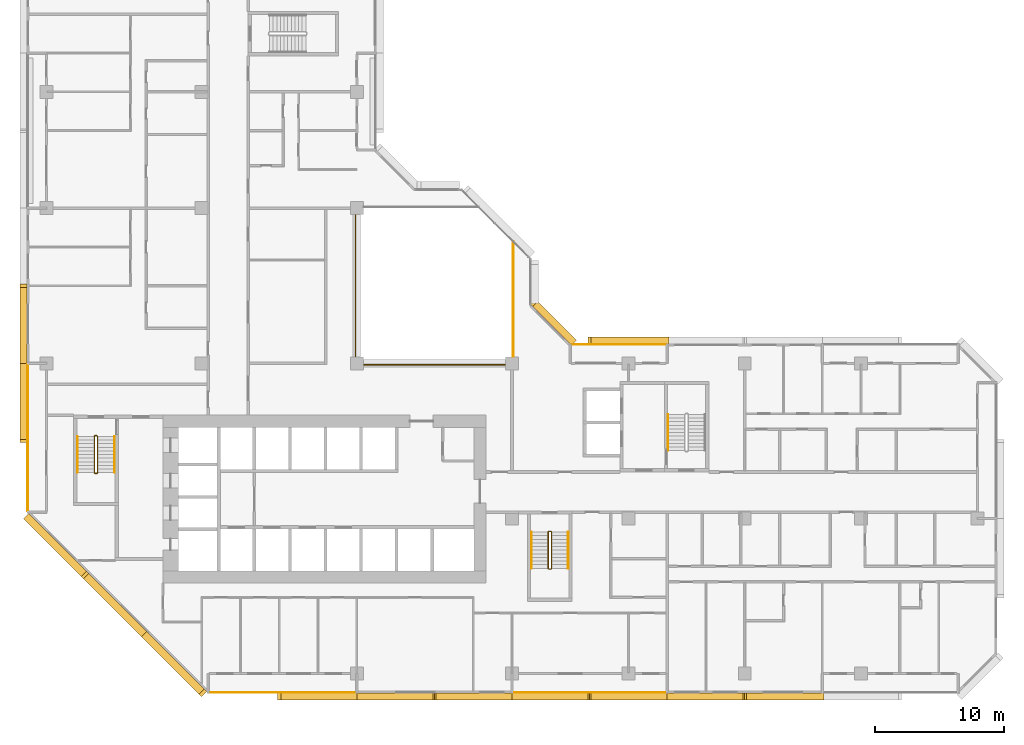
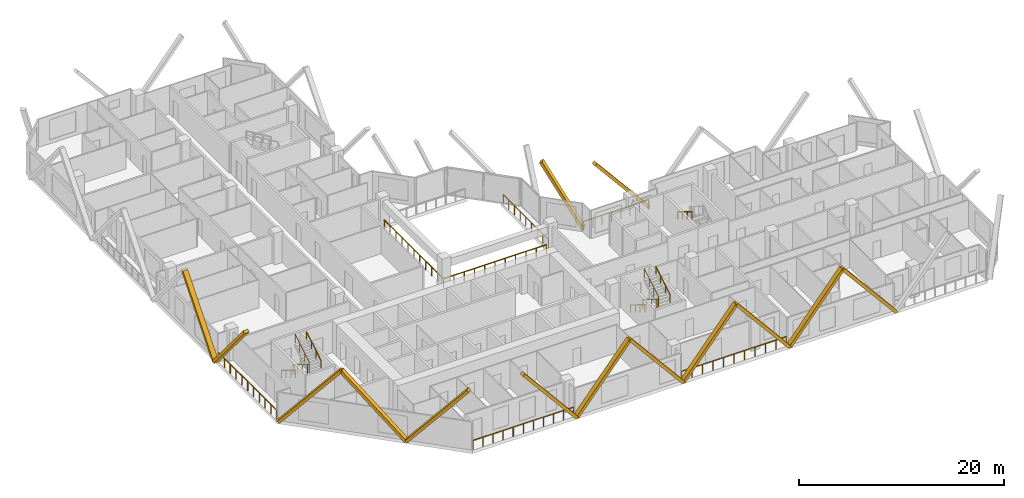
# One storey, part 14 of 15: 14 coverings, 13 railings.
"""IFC4 building model written with IfcOpenShell, lengths in metres."""

from ifc_helpers import new_model, si_unit, direction, frame, origin, origin_2d, place, context, subcontext, project, spatial, rectangle, extrude, material, material_profile, profile_set, type_object, element, save


model = new_model("IFC4")

# Units and contexts
model_context = context("Model", 3, precision=1e-05, world=origin(), true_north=direction((0.0, 1.0)))
body_context = subcontext(model_context, "Body", "Model", "MODEL_VIEW")
ifc_project = project(units=[si_unit("LENGTHUNIT", "METRE"), si_unit("AREAUNIT", "SQUARE_METRE"), si_unit("VOLUMEUNIT", "CUBIC_METRE"), si_unit("PLANEANGLEUNIT", "RADIAN"), si_unit("MASSUNIT", "GRAM", prefix="KILO")], contexts=[model_context])

# Site, building, storey
site_placement = place(None, origin())
site = spatial("IfcSite", under=ifc_project, at=site_placement, CompositionType="ELEMENT")
building_placement = place(site_placement, origin())
building = spatial("IfcBuilding", under=site, at=building_placement, Name="Chenar Terraces", CompositionType="ELEMENT")
storey_placement = place(building_placement, frame((0.0, 0.0, 114.39990234375)))
storey = spatial("IfcBuildingStorey", under=building, at=storey_placement, Name="L26", CompositionType="ELEMENT", Elevation=114.39990234375)

# Railings
ifc_material_1 = material(Name="Powder-coated steel", Category="steel")
railing_type_1 = type_object("IfcRailingType", Name="Guard 1100 steel rail with glass infill", PredefinedType="GUARDRAIL", material=ifc_material_1)
railing_1_placement = place(storey_placement, frame((23.89990234375, 35.5, 0.0)))
element("IfcRailing", 1, at=railing_1_placement, inside=storey, type_object=railing_type_1, Name="Guard L26-1", PredefinedType="GUARDRAIL", context=body_context, shape_type="SweptSolid", body=[
    extrude(rectangle(XDim=0.06005859375, YDim=0.06005859375, at=origin_2d()), frame((0.0, 0.0, 1.070068359375), z_axis=(0.0, -1.0, 0.0), x_axis=(1.0, 0.0, 0.0)), (0.0, 0.0, 1.0), 11.60009765625),
    extrude(rectangle(XDim=0.06005859375, YDim=0.06005859375, at=origin_2d()), frame((0.0, -11.60009765625, 1.070068359375), z_axis=(1.0, 0.0, 0.0), x_axis=(0.0, 1.0, 0.0)), (0.0, 0.0, 1.0), 11.60009765625),
    extrude(rectangle(XDim=0.050048828125, YDim=0.050048828125, at=origin_2d()), origin(), (0.0, 0.0, 1.0), 1.0400390625),
    extrude(rectangle(XDim=0.050048828125, YDim=0.050048828125, at=origin_2d()), frame((0.0, -1.159912109375, 0.0)), (0.0, 0.0, 1.0), 1.0400390625),
    extrude(rectangle(XDim=0.050048828125, YDim=0.050048828125, at=origin_2d()), frame((0.0, -2.320068359375, 0.0)), (0.0, 0.0, 1.0), 1.0400390625),
    extrude(rectangle(XDim=0.050048828125, YDim=0.050048828125, at=origin_2d()), frame((0.0, -3.47998046875, 0.0)), (0.0, 0.0, 1.0), 1.0400390625),
    extrude(rectangle(XDim=0.050048828125, YDim=0.050048828125, at=origin_2d()), frame((0.0, -4.64013671875, 0.0)), (0.0, 0.0, 1.0), 1.0400390625),
    extrude(rectangle(XDim=0.050048828125, YDim=0.050048828125, at=origin_2d()), frame((0.0, -5.800048828125, 0.0)), (0.0, 0.0, 1.0), 1.0400390625),
    extrude(rectangle(XDim=0.050048828125, YDim=0.050048828125, at=origin_2d()), frame((0.0, -6.9599609375, 0.0)), (0.0, 0.0, 1.0), 1.0400390625),
    extrude(rectangle(XDim=0.050048828125, YDim=0.050048828125, at=origin_2d()), frame((0.0, -8.1201171875, 0.0)), (0.0, 0.0, 1.0), 1.0400390625),
    extrude(rectangle(XDim=0.050048828125, YDim=0.050048828125, at=origin_2d()), frame((0.0, -9.280029296875, 0.0)), (0.0, 0.0, 1.0), 1.0400390625),
    extrude(rectangle(XDim=0.050048828125, YDim=0.050048828125, at=origin_2d()), frame((0.0, -10.440185546875, 0.0)), (0.0, 0.0, 1.0), 1.0400390625),
    extrude(rectangle(XDim=0.050048828125, YDim=0.050048828125, at=origin_2d()), frame((0.0, -11.60009765625, 0.0)), (0.0, 0.0, 1.0), 1.0400390625),
    extrude(rectangle(XDim=0.050048828125, YDim=0.050048828125, at=origin_2d()), frame((1.159912109375, -11.60009765625, 0.0)), (0.0, 0.0, 1.0), 1.0400390625),
    extrude(rectangle(XDim=0.050048828125, YDim=0.050048828125, at=origin_2d()), frame((2.320068359375, -11.60009765625, 0.0)), (0.0, 0.0, 1.0), 1.0400390625),
    extrude(rectangle(XDim=0.050048828125, YDim=0.050048828125, at=origin_2d()), frame((3.47998046875, -11.60009765625, 0.0)), (0.0, 0.0, 1.0), 1.0400390625),
    extrude(rectangle(XDim=0.050048828125, YDim=0.050048828125, at=origin_2d()), frame((4.64013671875, -11.60009765625, 0.0)), (0.0, 0.0, 1.0), 1.0400390625),
    extrude(rectangle(XDim=0.050048828125, YDim=0.050048828125, at=origin_2d()), frame((5.800048828125, -11.60009765625, 0.0)), (0.0, 0.0, 1.0), 1.0400390625),
    extrude(rectangle(XDim=0.050048828125, YDim=0.050048828125, at=origin_2d()), frame((6.9599609375, -11.60009765625, 0.0)), (0.0, 0.0, 1.0), 1.0400390625),
    extrude(rectangle(XDim=0.050048828125, YDim=0.050048828125, at=origin_2d()), frame((8.1201171875, -11.60009765625, 0.0)), (0.0, 0.0, 1.0), 1.0400390625),
    extrude(rectangle(XDim=0.050048828125, YDim=0.050048828125, at=origin_2d()), frame((9.280029296875, -11.60009765625, 0.0)), (0.0, 0.0, 1.0), 1.0400390625),
    extrude(rectangle(XDim=0.050048828125, YDim=0.050048828125, at=origin_2d()), frame((10.440185546875, -11.60009765625, 0.0)), (0.0, 0.0, 1.0), 1.0400390625),
    extrude(rectangle(XDim=0.050048828125, YDim=0.050048828125, at=origin_2d()), frame((11.60009765625, -11.60009765625, 0.0)), (0.0, 0.0, 1.0), 1.0400390625),
])
railing_2_placement = place(storey_placement, frame((36.10009765625, 24.550048828125, 0.0)))
element("IfcRailing", 2, at=railing_2_placement, inside=storey, type_object=railing_type_1, Name="Guard L26-3", PredefinedType="GUARDRAIL", context=body_context, shape_type="SweptSolid", body=[
    extrude(rectangle(XDim=0.06005859375, YDim=0.06005859375, at=origin_2d()), frame((0.0, 0.0, 1.070068359375), z_axis=(0.0, 1.0, 0.0), x_axis=(-1.0, 0.0, 0.0)), (0.0, 0.0, 1.0), 8.849853515625),
    extrude(rectangle(XDim=0.050048828125, YDim=0.050048828125, at=origin_2d()), origin(), (0.0, 0.0, 1.0), 1.0400390625),
    extrude(rectangle(XDim=0.050048828125, YDim=0.050048828125, at=origin_2d()), frame((0.0, 1.106201171875, 0.0)), (0.0, 0.0, 1.0), 1.0400390625),
    extrude(rectangle(XDim=0.050048828125, YDim=0.050048828125, at=origin_2d()), frame((0.0, 2.21240234375, 0.0)), (0.0, 0.0, 1.0), 1.0400390625),
    extrude(rectangle(XDim=0.050048828125, YDim=0.050048828125, at=origin_2d()), frame((0.0, 3.318603515625, 0.0)), (0.0, 0.0, 1.0), 1.0400390625),
    extrude(rectangle(XDim=0.050048828125, YDim=0.050048828125, at=origin_2d()), frame((0.0, 4.4248046875, 0.0)), (0.0, 0.0, 1.0), 1.0400390625),
    extrude(rectangle(XDim=0.050048828125, YDim=0.050048828125, at=origin_2d()), frame((0.0, 5.53125, 0.0)), (0.0, 0.0, 1.0), 1.0400390625),
    extrude(rectangle(XDim=0.050048828125, YDim=0.050048828125, at=origin_2d()), frame((0.0, 6.637451171875, 0.0)), (0.0, 0.0, 1.0), 1.0400390625),
    extrude(rectangle(XDim=0.050048828125, YDim=0.050048828125, at=origin_2d()), frame((0.0, 7.74365234375, 0.0)), (0.0, 0.0, 1.0), 1.0400390625),
    extrude(rectangle(XDim=0.050048828125, YDim=0.050048828125, at=origin_2d()), frame((0.0, 8.849853515625, 0.0)), (0.0, 0.0, 1.0), 1.0400390625),
])
ifc_material_2 = material(Name="Stainless steel and glass", Category="steel")
railing_type_2 = type_object("IfcRailingType", Name="Loggia guard 1150", PredefinedType="GUARDRAIL", material=ifc_material_2)
railing_3_placement = place(storey_placement, frame((47.925048828125, 25.449951171875, 0.0)))
element("IfcRailing", 3, at=railing_3_placement, inside=storey, type_object=railing_type_2, Name="Loggia guard", PredefinedType="GUARDRAIL", context=body_context, shape_type="SweptSolid", body=[
    extrude(rectangle(XDim=0.048095703125, YDim=0.048095703125, at=origin_2d()), frame((0.0, 0.0, 1.1259765625), z_axis=(-1.0, 0.0, 0.0), x_axis=(0.0, -1.0, 0.0)), (0.0, 0.0, 1.0), 7.35009765625),
    extrude(rectangle(XDim=0.0419921875, YDim=0.0419921875, at=origin_2d()), origin(), (0.0, 0.0, 1.0), 1.101806640625),
    extrude(rectangle(XDim=0.0419921875, YDim=0.0419921875, at=origin_2d()), frame((-1.050048828125, 0.0, 0.0)), (0.0, 0.0, 1.0), 1.101806640625),
    extrude(rectangle(XDim=0.0419921875, YDim=0.0419921875, at=origin_2d()), frame((-2.10009765625, 0.0, 0.0)), (0.0, 0.0, 1.0), 1.101806640625),
    extrude(rectangle(XDim=0.0419921875, YDim=0.0419921875, at=origin_2d()), frame((-3.150146484375, 0.0, 0.0)), (0.0, 0.0, 1.0), 1.101806640625),
    extrude(rectangle(XDim=0.0419921875, YDim=0.0419921875, at=origin_2d()), frame((-4.199951171875, 0.0, 0.0)), (0.0, 0.0, 1.0), 1.101806640625),
    extrude(rectangle(XDim=0.0419921875, YDim=0.0419921875, at=origin_2d()), frame((-5.25, 0.0, 0.0)), (0.0, 0.0, 1.0), 1.101806640625),
    extrude(rectangle(XDim=0.0419921875, YDim=0.0419921875, at=origin_2d()), frame((-6.300048828125, 0.0, 0.0)), (0.0, 0.0, 1.0), 1.101806640625),
    extrude(rectangle(XDim=0.0419921875, YDim=0.0419921875, at=origin_2d()), frame((-7.35009765625, 0.0, 0.0)), (0.0, 0.0, 1.0), 1.101806640625),
])
railing_4_placement = place(storey_placement, frame((12.574951171875, -1.449951171875, 0.0)))
element("IfcRailing", 4, at=railing_4_placement, inside=storey, type_object=railing_type_2, Name="Loggia guard", PredefinedType="GUARDRAIL", context=body_context, shape_type="SweptSolid", body=[
    extrude(rectangle(XDim=0.048095703125, YDim=0.048095703125, at=origin_2d()), frame((0.0, 0.0, 1.1259765625), z_axis=(1.0, 0.0, 0.0), x_axis=(0.0, 1.0, 0.0)), (0.0, 0.0, 1.0), 11.35009765625),
    extrude(rectangle(XDim=0.0419921875, YDim=0.0419921875, at=origin_2d()), origin(), (0.0, 0.0, 1.0), 1.101806640625),
    extrude(rectangle(XDim=0.0419921875, YDim=0.0419921875, at=origin_2d()), frame((1.135009765625, 0.0, 0.0)), (0.0, 0.0, 1.0), 1.101806640625),
    extrude(rectangle(XDim=0.0419921875, YDim=0.0419921875, at=origin_2d()), frame((2.27001953125, 0.0, 0.0)), (0.0, 0.0, 1.0), 1.101806640625),
    extrude(rectangle(XDim=0.0419921875, YDim=0.0419921875, at=origin_2d()), frame((3.405029296875, 0.0, 0.0)), (0.0, 0.0, 1.0), 1.101806640625),
    extrude(rectangle(XDim=0.0419921875, YDim=0.0419921875, at=origin_2d()), frame((4.5400390625, 0.0, 0.0)), (0.0, 0.0, 1.0), 1.101806640625),
    extrude(rectangle(XDim=0.0419921875, YDim=0.0419921875, at=origin_2d()), frame((5.675048828125, 0.0, 0.0)), (0.0, 0.0, 1.0), 1.101806640625),
    extrude(rectangle(XDim=0.0419921875, YDim=0.0419921875, at=origin_2d()), frame((6.81005859375, 0.0, 0.0)), (0.0, 0.0, 1.0), 1.101806640625),
    extrude(rectangle(XDim=0.0419921875, YDim=0.0419921875, at=origin_2d()), frame((7.945068359375, 0.0, 0.0)), (0.0, 0.0, 1.0), 1.101806640625),
    extrude(rectangle(XDim=0.0419921875, YDim=0.0419921875, at=origin_2d()), frame((9.080078125, 0.0, 0.0)), (0.0, 0.0, 1.0), 1.101806640625),
    extrude(rectangle(XDim=0.0419921875, YDim=0.0419921875, at=origin_2d()), frame((10.215087890625, 0.0, 0.0)), (0.0, 0.0, 1.0), 1.101806640625),
    extrude(rectangle(XDim=0.0419921875, YDim=0.0419921875, at=origin_2d()), frame((11.35009765625, 0.0, 0.0)), (0.0, 0.0, 1.0), 1.101806640625),
])
railing_5_placement = place(storey_placement, frame((36.074951171875, -1.449951171875, 0.0)))
element("IfcRailing", 5, at=railing_5_placement, inside=storey, type_object=railing_type_2, Name="Loggia guard", PredefinedType="GUARDRAIL", context=body_context, shape_type="SweptSolid", body=[
    extrude(rectangle(XDim=0.048095703125, YDim=0.048095703125, at=origin_2d()), frame((0.0, 0.0, 1.1259765625), z_axis=(1.0, 0.0, 0.0), x_axis=(0.0, 1.0, 0.0)), (0.0, 0.0, 1.0), 11.85009765625),
    extrude(rectangle(XDim=0.0419921875, YDim=0.0419921875, at=origin_2d()), origin(), (0.0, 0.0, 1.0), 1.101806640625),
    extrude(rectangle(XDim=0.0419921875, YDim=0.0419921875, at=origin_2d()), frame((1.18505859375, 0.0, 0.0)), (0.0, 0.0, 1.0), 1.101806640625),
    extrude(rectangle(XDim=0.0419921875, YDim=0.0419921875, at=origin_2d()), frame((2.3701171875, 0.0, 0.0)), (0.0, 0.0, 1.0), 1.101806640625),
    extrude(rectangle(XDim=0.0419921875, YDim=0.0419921875, at=origin_2d()), frame((3.554931640625, 0.0, 0.0)), (0.0, 0.0, 1.0), 1.101806640625),
    extrude(rectangle(XDim=0.0419921875, YDim=0.0419921875, at=origin_2d()), frame((4.739990234375, 0.0, 0.0)), (0.0, 0.0, 1.0), 1.101806640625),
    extrude(rectangle(XDim=0.0419921875, YDim=0.0419921875, at=origin_2d()), frame((5.925048828125, 0.0, 0.0)), (0.0, 0.0, 1.0), 1.101806640625),
    extrude(rectangle(XDim=0.0419921875, YDim=0.0419921875, at=origin_2d()), frame((7.110107421875, 0.0, 0.0)), (0.0, 0.0, 1.0), 1.101806640625),
    extrude(rectangle(XDim=0.0419921875, YDim=0.0419921875, at=origin_2d()), frame((8.295166015625, 0.0, 0.0)), (0.0, 0.0, 1.0), 1.101806640625),
    extrude(rectangle(XDim=0.0419921875, YDim=0.0419921875, at=origin_2d()), frame((9.47998046875, 0.0, 0.0)), (0.0, 0.0, 1.0), 1.101806640625),
    extrude(rectangle(XDim=0.0419921875, YDim=0.0419921875, at=origin_2d()), frame((10.6650390625, 0.0, 0.0)), (0.0, 0.0, 1.0), 1.101806640625),
    extrude(rectangle(XDim=0.0419921875, YDim=0.0419921875, at=origin_2d()), frame((11.85009765625, 0.0, 0.0)), (0.0, 0.0, 1.0), 1.101806640625),
])
railing_6_placement = place(storey_placement, frame((-1.449951171875, 23.925048828125, 0.0)))
element("IfcRailing", 6, at=railing_6_placement, inside=storey, type_object=railing_type_2, Name="Loggia guard", PredefinedType="GUARDRAIL", context=body_context, shape_type="SweptSolid", body=[
    extrude(rectangle(XDim=0.048095703125, YDim=0.048095703125, at=origin_2d()), frame((0.0, 0.0, 1.1259765625), z_axis=(0.0, -1.0, 0.0), x_axis=(1.0, 0.0, 0.0)), (0.0, 0.0, 1.0), 11.35009765625),
    extrude(rectangle(XDim=0.0419921875, YDim=0.0419921875, at=origin_2d()), origin(), (0.0, 0.0, 1.0), 1.101806640625),
    extrude(rectangle(XDim=0.0419921875, YDim=0.0419921875, at=origin_2d()), frame((0.0, -1.135009765625, 0.0)), (0.0, 0.0, 1.0), 1.101806640625),
    extrude(rectangle(XDim=0.0419921875, YDim=0.0419921875, at=origin_2d()), frame((0.0, -2.27001953125, 0.0)), (0.0, 0.0, 1.0), 1.101806640625),
    extrude(rectangle(XDim=0.0419921875, YDim=0.0419921875, at=origin_2d()), frame((0.0, -3.405029296875, 0.0)), (0.0, 0.0, 1.0), 1.101806640625),
    extrude(rectangle(XDim=0.0419921875, YDim=0.0419921875, at=origin_2d()), frame((0.0, -4.5400390625, 0.0)), (0.0, 0.0, 1.0), 1.101806640625),
    extrude(rectangle(XDim=0.0419921875, YDim=0.0419921875, at=origin_2d()), frame((0.0, -5.675048828125, 0.0)), (0.0, 0.0, 1.0), 1.101806640625),
    extrude(rectangle(XDim=0.0419921875, YDim=0.0419921875, at=origin_2d()), frame((0.0, -6.81005859375, 0.0)), (0.0, 0.0, 1.0), 1.101806640625),
    extrude(rectangle(XDim=0.0419921875, YDim=0.0419921875, at=origin_2d()), frame((0.0, -7.945068359375, 0.0)), (0.0, 0.0, 1.0), 1.101806640625),
    extrude(rectangle(XDim=0.0419921875, YDim=0.0419921875, at=origin_2d()), frame((0.0, -9.080078125, 0.0)), (0.0, 0.0, 1.0), 1.101806640625),
    extrude(rectangle(XDim=0.0419921875, YDim=0.0419921875, at=origin_2d()), frame((0.0, -10.215087890625, 0.0)), (0.0, 0.0, 1.0), 1.101806640625),
    extrude(rectangle(XDim=0.0419921875, YDim=0.0419921875, at=origin_2d()), frame((0.0, -11.35009765625, 0.0)), (0.0, 0.0, 1.0), 1.101806640625),
])
ifc_material_3 = material(Name="Powder-coated steel", Category="steel")
railing_type_3 = type_object("IfcRailingType", Name="Stair guard 1100", PredefinedType="GUARDRAIL", material=ifc_material_3)
railing_7_placement = place(storey_placement, frame((3.949951171875, 18.35009765625, 3.75)))
element("IfcRailing", 7, at=railing_7_placement, inside=storey, type_object=railing_type_3, Name="L26 ST1 stair guard 1", PredefinedType="GUARDRAIL", context=body_context, shape_type="SweptSolid", body=[
    extrude(rectangle(XDim=0.048095703125, YDim=0.048095703125, at=origin_2d()), frame((0.0, 0.0, 1.076171875), z_axis=(0.0, -0.854202870247, -0.519939858505), x_axis=(1.0, 0.0, 0.0)), (0.0, 0.0, 1.0), 3.278076171875),
    extrude(rectangle(XDim=0.048095703125, YDim=0.048095703125, at=origin_2d()), frame((0.0, -2.800048828125, -0.62841796875), z_axis=(-0.270899902878, -0.270899902878, -0.923702595667), x_axis=(0.707106781187, -0.707106781187, 0.0)), (0.0, 0.0, 1.0), 0.184814453125),
    extrude(rectangle(XDim=0.048095703125, YDim=0.048095703125, at=origin_2d()), frame((-0.050048828125, -2.85009765625, -0.798828125), z_axis=(-1.0, 0.0, 0.0), x_axis=(0.0, -1.0, 0.0)), (0.0, 0.0, 1.0), 0.14990234375),
    extrude(rectangle(XDim=0.048095703125, YDim=0.048095703125, at=origin_2d()), frame((-0.199951171875, -2.85009765625, -0.798828125), z_axis=(-0.707106781187, 0.707106781187, 0.0), x_axis=(-0.707106781187, -0.707106781187, 0.0)), (0.0, 0.0, 1.0), 0.07080078125),
    extrude(rectangle(XDim=0.048095703125, YDim=0.048095703125, at=origin_2d()), frame((-0.25, -2.800048828125, -0.798828125), z_axis=(0.0, 0.854202870247, -0.519939858505), x_axis=(-1.0, 0.0, 0.0)), (0.0, 0.0, 1.0), 3.278076171875),
    extrude(rectangle(XDim=0.048095703125, YDim=0.048095703125, at=origin_2d()), frame((-0.25, 0.0, -2.50341796875), z_axis=(0.270996696079, 0.269674760976, -0.924032636873), x_axis=(-0.705375805398, 0.708833529934, 0.0)), (0.0, 0.0, 1.0), 0.1845703125),
    extrude(rectangle(XDim=0.048095703125, YDim=0.048095703125, at=origin_2d()), frame((-0.199951171875, 0.0498046875, -2.673828125), z_axis=(1.0, 0.0, 0.0), x_axis=(0.0, 1.0, 0.0)), (0.0, 0.0, 1.0), 0.14990234375),
    extrude(rectangle(XDim=0.0419921875, YDim=0.0419921875, at=origin_2d()), origin(), (0.0, 0.0, 1.0), 1.052001953125),
    extrude(rectangle(XDim=0.0419921875, YDim=0.0419921875, at=origin_2d()), frame((0.0, -0.933349609375, -0.568115234375)), (0.0, 0.0, 1.0), 1.052001953125),
    extrude(rectangle(XDim=0.0419921875, YDim=0.0419921875, at=origin_2d()), frame((0.0, -1.86669921875, -1.13623046875)), (0.0, 0.0, 1.0), 1.052001953125),
    extrude(rectangle(XDim=0.0419921875, YDim=0.0419921875, at=origin_2d()), frame((0.0, -2.800048828125, -1.704345703125)), (0.0, 0.0, 1.0), 1.052001953125),
    extrude(rectangle(XDim=0.0419921875, YDim=0.0419921875, at=origin_2d()), frame((-0.050048828125, -2.85009765625, -1.875)), (0.0, 0.0, 1.0), 1.052001953125),
    extrude(rectangle(XDim=0.0419921875, YDim=0.0419921875, at=origin_2d()), frame((-0.199951171875, -2.85009765625, -1.875)), (0.0, 0.0, 1.0), 1.052001953125),
    extrude(rectangle(XDim=0.0419921875, YDim=0.0419921875, at=origin_2d()), frame((-0.25, -2.800048828125, -1.875)), (0.0, 0.0, 1.0), 1.052001953125),
    extrude(rectangle(XDim=0.0419921875, YDim=0.0419921875, at=origin_2d()), frame((-0.25, -1.86669921875, -2.443115234375)), (0.0, 0.0, 1.0), 1.052001953125),
    extrude(rectangle(XDim=0.0419921875, YDim=0.0419921875, at=origin_2d()), frame((-0.25, -0.933349609375, -3.01123046875)), (0.0, 0.0, 1.0), 1.052001953125),
    extrude(rectangle(XDim=0.0419921875, YDim=0.0419921875, at=origin_2d()), frame((-0.25, 0.0, -3.579345703125)), (0.0, 0.0, 1.0), 1.052001953125),
    extrude(rectangle(XDim=0.0419921875, YDim=0.0419921875, at=origin_2d()), frame((-0.199951171875, 0.0498046875, -3.75)), (0.0, 0.0, 1.0), 1.052001953125),
    extrude(rectangle(XDim=0.0419921875, YDim=0.0419921875, at=origin_2d()), frame((-0.050048828125, 0.0498046875, -3.75)), (0.0, 0.0, 1.0), 1.052001953125),
])
railing_8_placement = place(storey_placement, frame((39.050048828125, 10.949951171875, 3.75)))
element("IfcRailing", 8, at=railing_8_placement, inside=storey, type_object=railing_type_3, Name="L26 ST2 stair guard 1", PredefinedType="GUARDRAIL", context=body_context, shape_type="SweptSolid", body=[
    extrude(rectangle(XDim=0.048095703125, YDim=0.048095703125, at=origin_2d()), frame((0.0, 0.0, 1.076171875), z_axis=(0.0, -0.854202870247, -0.519939858505), x_axis=(1.0, 0.0, 0.0)), (0.0, 0.0, 1.0), 3.278076171875),
    extrude(rectangle(XDim=0.048095703125, YDim=0.048095703125, at=origin_2d()), frame((0.0, -2.800048828125, -0.62841796875), z_axis=(-0.270996696079, -0.269674760976, -0.924032636873), x_axis=(0.705375805398, -0.708833529934, 0.0)), (0.0, 0.0, 1.0), 0.1845703125),
    extrude(rectangle(XDim=0.048095703125, YDim=0.048095703125, at=origin_2d()), frame((-0.050048828125, -2.849853515625, -0.798828125), z_axis=(-1.0, 0.0, 0.0), x_axis=(0.0, -1.0, 0.0)), (0.0, 0.0, 1.0), 0.14990234375),
    extrude(rectangle(XDim=0.048095703125, YDim=0.048095703125, at=origin_2d()), frame((-0.199951171875, -2.849853515625, -0.798828125), z_axis=(-0.708833529934, 0.705375805398, 0.0), x_axis=(-0.705375805398, -0.708833529934, 0.0)), (0.0, 0.0, 1.0), 0.070556640625),
    extrude(rectangle(XDim=0.048095703125, YDim=0.048095703125, at=origin_2d()), frame((-0.25, -2.800048828125, -0.798828125), z_axis=(0.0, 0.854202870247, -0.519939858505), x_axis=(-1.0, 0.0, 0.0)), (0.0, 0.0, 1.0), 3.278076171875),
    extrude(rectangle(XDim=0.048095703125, YDim=0.048095703125, at=origin_2d()), frame((-0.25, 0.0, -2.50341796875), z_axis=(0.270899902878, 0.270899902878, -0.923702595667), x_axis=(-0.707106781187, 0.707106781187, 0.0)), (0.0, 0.0, 1.0), 0.184814453125),
    extrude(rectangle(XDim=0.048095703125, YDim=0.048095703125, at=origin_2d()), frame((-0.199951171875, 0.050048828125, -2.673828125), z_axis=(1.0, 0.0, 0.0), x_axis=(0.0, 1.0, 0.0)), (0.0, 0.0, 1.0), 0.14990234375),
    extrude(rectangle(XDim=0.0419921875, YDim=0.0419921875, at=origin_2d()), origin(), (0.0, 0.0, 1.0), 1.052001953125),
    extrude(rectangle(XDim=0.0419921875, YDim=0.0419921875, at=origin_2d()), frame((0.0, -0.933349609375, -0.568115234375)), (0.0, 0.0, 1.0), 1.052001953125),
    extrude(rectangle(XDim=0.0419921875, YDim=0.0419921875, at=origin_2d()), frame((0.0, -1.86669921875, -1.13623046875)), (0.0, 0.0, 1.0), 1.052001953125),
    extrude(rectangle(XDim=0.0419921875, YDim=0.0419921875, at=origin_2d()), frame((0.0, -2.800048828125, -1.704345703125)), (0.0, 0.0, 1.0), 1.052001953125),
    extrude(rectangle(XDim=0.0419921875, YDim=0.0419921875, at=origin_2d()), frame((-0.050048828125, -2.849853515625, -1.875)), (0.0, 0.0, 1.0), 1.052001953125),
    extrude(rectangle(XDim=0.0419921875, YDim=0.0419921875, at=origin_2d()), frame((-0.199951171875, -2.849853515625, -1.875)), (0.0, 0.0, 1.0), 1.052001953125),
    extrude(rectangle(XDim=0.0419921875, YDim=0.0419921875, at=origin_2d()), frame((-0.25, -2.800048828125, -1.875)), (0.0, 0.0, 1.0), 1.052001953125),
    extrude(rectangle(XDim=0.0419921875, YDim=0.0419921875, at=origin_2d()), frame((-0.25, -1.86669921875, -2.443115234375)), (0.0, 0.0, 1.0), 1.052001953125),
    extrude(rectangle(XDim=0.0419921875, YDim=0.0419921875, at=origin_2d()), frame((-0.25, -0.933349609375, -3.01123046875)), (0.0, 0.0, 1.0), 1.052001953125),
    extrude(rectangle(XDim=0.0419921875, YDim=0.0419921875, at=origin_2d()), frame((-0.25, 0.0, -3.579345703125)), (0.0, 0.0, 1.0), 1.052001953125),
    extrude(rectangle(XDim=0.0419921875, YDim=0.0419921875, at=origin_2d()), frame((-0.199951171875, 0.050048828125, -3.75)), (0.0, 0.0, 1.0), 1.052001953125),
    extrude(rectangle(XDim=0.0419921875, YDim=0.0419921875, at=origin_2d()), frame((-0.050048828125, 0.050048828125, -3.75)), (0.0, 0.0, 1.0), 1.052001953125),
])
ifc_material_4 = material(Name="Powder-coated steel", Category="steel")
railing_type_4 = type_object("IfcRailingType", Name="Stair handrail 900", PredefinedType="HANDRAIL", material=ifc_material_4)
railing_9_placement = place(storey_placement, frame((2.39990234375, 18.35009765625, 0.170654296875)))
element("IfcRailing", 9, at=railing_9_placement, inside=storey, type_object=railing_type_4, Name="L26 ST1 stair handrail 1", PredefinedType="HANDRAIL", context=body_context, shape_type="SweptSolid", body=[
    extrude(rectangle(XDim=0.048095703125, YDim=0.048095703125, at=origin_2d()), frame((0.0, 0.0, 0.8759765625), z_axis=(0.0, -0.854202870247, 0.519939858505), x_axis=(1.0, 0.0, 0.0)), (0.0, 0.0, 1.0), 3.278076171875),
    extrude(rectangle(XDim=0.0419921875, YDim=0.0419921875, at=origin_2d()), origin(), (0.0, 0.0, 1.0), 0.851806640625),
    extrude(rectangle(XDim=0.0419921875, YDim=0.0419921875, at=origin_2d()), frame((0.0, -0.933349609375, 0.568115234375)), (0.0, 0.0, 1.0), 0.851806640625),
    extrude(rectangle(XDim=0.0419921875, YDim=0.0419921875, at=origin_2d()), frame((0.0, -1.86669921875, 1.13623046875)), (0.0, 0.0, 1.0), 0.851806640625),
    extrude(rectangle(XDim=0.0419921875, YDim=0.0419921875, at=origin_2d()), frame((0.0, -2.800048828125, 1.704345703125)), (0.0, 0.0, 1.0), 0.851806640625),
])
railing_10_placement = place(storey_placement, frame((5.25, 15.550048828125, 2.045654296875)))
element("IfcRailing", 10, at=railing_10_placement, inside=storey, type_object=railing_type_4, Name="L26 ST1 stair handrail 2", PredefinedType="HANDRAIL", context=body_context, shape_type="SweptSolid", body=[
    extrude(rectangle(XDim=0.048095703125, YDim=0.048095703125, at=origin_2d()), frame((0.0, 0.0, 0.8759765625), z_axis=(0.0, 0.854202870247, 0.519939858505), x_axis=(-1.0, 0.0, 0.0)), (0.0, 0.0, 1.0), 3.278076171875),
    extrude(rectangle(XDim=0.0419921875, YDim=0.0419921875, at=origin_2d()), origin(), (0.0, 0.0, 1.0), 0.851806640625),
    extrude(rectangle(XDim=0.0419921875, YDim=0.0419921875, at=origin_2d()), frame((0.0, 0.933349609375, 0.568115234375)), (0.0, 0.0, 1.0), 0.851806640625),
    extrude(rectangle(XDim=0.0419921875, YDim=0.0419921875, at=origin_2d()), frame((0.0, 1.86669921875, 1.13623046875)), (0.0, 0.0, 1.0), 0.851806640625),
    extrude(rectangle(XDim=0.0419921875, YDim=0.0419921875, at=origin_2d()), frame((0.0, 2.800048828125, 1.704345703125)), (0.0, 0.0, 1.0), 0.851806640625),
])
railing_11_placement = place(storey_placement, frame((37.5, 10.949951171875, 0.170654296875)))
element("IfcRailing", 11, at=railing_11_placement, inside=storey, type_object=railing_type_4, Name="L26 ST2 stair handrail 1", PredefinedType="HANDRAIL", context=body_context, shape_type="SweptSolid", body=[
    extrude(rectangle(XDim=0.048095703125, YDim=0.048095703125, at=origin_2d()), frame((0.0, 0.0, 0.8759765625), z_axis=(0.0, -0.854202870247, 0.519939858505), x_axis=(1.0, 0.0, 0.0)), (0.0, 0.0, 1.0), 3.278076171875),
    extrude(rectangle(XDim=0.0419921875, YDim=0.0419921875, at=origin_2d()), origin(), (0.0, 0.0, 1.0), 0.851806640625),
    extrude(rectangle(XDim=0.0419921875, YDim=0.0419921875, at=origin_2d()), frame((0.0, -0.933349609375, 0.568115234375)), (0.0, 0.0, 1.0), 0.851806640625),
    extrude(rectangle(XDim=0.0419921875, YDim=0.0419921875, at=origin_2d()), frame((0.0, -1.86669921875, 1.13623046875)), (0.0, 0.0, 1.0), 0.851806640625),
    extrude(rectangle(XDim=0.0419921875, YDim=0.0419921875, at=origin_2d()), frame((0.0, -2.800048828125, 1.704345703125)), (0.0, 0.0, 1.0), 0.851806640625),
])
railing_12_placement = place(storey_placement, frame((40.35009765625, 8.14990234375, 2.045654296875)))
element("IfcRailing", 12, at=railing_12_placement, inside=storey, type_object=railing_type_4, Name="L26 ST2 stair handrail 2", PredefinedType="HANDRAIL", context=body_context, shape_type="SweptSolid", body=[
    extrude(rectangle(XDim=0.048095703125, YDim=0.048095703125, at=origin_2d()), frame((0.0, 0.0, 0.8759765625), z_axis=(0.0, 0.854202870247, 0.519939858505), x_axis=(-1.0, 0.0, 0.0)), (0.0, 0.0, 1.0), 3.278076171875),
    extrude(rectangle(XDim=0.0419921875, YDim=0.0419921875, at=origin_2d()), origin(), (0.0, 0.0, 1.0), 0.851806640625),
    extrude(rectangle(XDim=0.0419921875, YDim=0.0419921875, at=origin_2d()), frame((0.0, 0.933349609375, 0.568115234375)), (0.0, 0.0, 1.0), 0.851806640625),
    extrude(rectangle(XDim=0.0419921875, YDim=0.0419921875, at=origin_2d()), frame((0.0, 1.86669921875, 1.13623046875)), (0.0, 0.0, 1.0), 0.851806640625),
    extrude(rectangle(XDim=0.0419921875, YDim=0.0419921875, at=origin_2d()), frame((0.0, 2.800048828125, 1.704345703125)), (0.0, 0.0, 1.0), 0.851806640625),
])
railing_13_placement = place(storey_placement, frame((48.074951171875, 20.050048828125, 2.045654296875)))
element("IfcRailing", 13, at=railing_13_placement, inside=storey, type_object=railing_type_4, Name="L26 ST3 stair handrail 2", PredefinedType="HANDRAIL", context=body_context, shape_type="SweptSolid", body=[
    extrude(rectangle(XDim=0.048095703125, YDim=0.048095703125, at=origin_2d()), frame((0.0, 0.0, 0.8759765625), z_axis=(0.0, -0.854202870247, 0.519939858505), x_axis=(1.0, 0.0, 0.0)), (0.0, 0.0, 1.0), 3.278076171875),
    extrude(rectangle(XDim=0.0419921875, YDim=0.0419921875, at=origin_2d()), origin(), (0.0, 0.0, 1.0), 0.851806640625),
    extrude(rectangle(XDim=0.0419921875, YDim=0.0419921875, at=origin_2d()), frame((0.0, -0.933349609375, 0.568115234375)), (0.0, 0.0, 1.0), 0.851806640625),
    extrude(rectangle(XDim=0.0419921875, YDim=0.0419921875, at=origin_2d()), frame((0.0, -1.86669921875, 1.13623046875)), (0.0, 0.0, 1.0), 0.851806640625),
    extrude(rectangle(XDim=0.0419921875, YDim=0.0419921875, at=origin_2d()), frame((0.0, -2.800048828125, 1.704345703125)), (0.0, 0.0, 1.0), 0.851806640625),
])

# Coverings
ifc_material_5 = material(Name="Terracotta", Category="masonry")
ifc_material_profile = material_profile(ifc_material_5, rectangle(XDim=0.550048828125, YDim=0.330078125, at=origin_2d()), Name="Terracotta baguette 550 x 330")
ifc_profile_set = profile_set([ifc_material_profile], Name="Terracotta")
covering_type = type_object("IfcCoveringType", Name="Terracotta baguette 550 x 330", PredefinedType="CLADDING", material=ifc_profile_set)
covering_1_placement = place(storey_placement, frame((48.0, 25.77490234375, 0.150146484375), z_axis=(-0.640186961885, 0.0, 0.768219144407), x_axis=(0.0, -1.0, 0.0)))
element("IfcCovering", 14, at=covering_1_placement, inside=storey, type_object=covering_type, Name="Terracotta baguette", PredefinedType="CLADDING", context=body_context, shape_type="SweptSolid", body=[
    extrude(rectangle(XDim=0.550048828125, YDim=0.330078125, at=origin_2d()), origin(), (0.0, 0.0, 1.0), 9.372314453125),
])
covering_2_placement = place(storey_placement, frame((40.6943359375, 25.6943359375, 0.150146484375), z_axis=(-0.358955436736, 0.358984650982, 0.861557319507), x_axis=(-0.70713555402, -0.707078007182, 0.0)))
element("IfcCovering", 15, at=covering_2_placement, inside=storey, type_object=covering_type, Name="Terracotta baguette", PredefinedType="CLADDING", context=body_context, shape_type="SweptSolid", body=[
    extrude(rectangle(XDim=0.550048828125, YDim=0.330078125, at=origin_2d()), origin(), (0.0, 0.0, 1.0), 8.35693359375),
])
for number, where, z_axis, x_axis, name in (
    (16, (-1.77490234375, 30.0, 7.35009765625), (0.0, -0.640186961885, -0.768219144407), (1.0, 0.0, 0.0), "Terracotta baguette"),
    (17, (-1.77490234375, 24.0, 0.150146484375), (0.0, -0.640186961885, 0.768219144407), (1.0, 0.0, 0.0), "Terracotta baguette"),
):
    element("IfcCovering", number, at=place(storey_placement, frame(where, z_axis=z_axis, x_axis=x_axis)), inside=storey, type_object=covering_type, Name=name, PredefinedType="CLADDING", context=body_context, shape_type="SweptSolid", body=[
        extrude(rectangle(XDim=0.550048828125, YDim=0.330078125, at=origin_2d()), origin(), (0.0, 0.0, 1.0), 9.372314453125),
    ])
covering_3_placement = place(storey_placement, frame((-1.482421875, 12.093505859375, 0.150146484375), z_axis=(0.465624035565, -0.465624035565, 0.752587878595), x_axis=(0.707106781187, 0.707106781187, 0.0)))
element("IfcCovering", 18, at=covering_3_placement, inside=storey, type_object=covering_type, Name="Terracotta baguette", PredefinedType="CLADDING", context=body_context, shape_type="SweptSolid", body=[
    extrude(rectangle(XDim=0.550048828125, YDim=0.330078125, at=origin_2d()), origin(), (0.0, 0.0, 1.0), 9.56689453125),
])
covering_4_placement = place(storey_placement, frame((2.97216796875, 7.638916015625, 7.35009765625), z_axis=(0.477802509271, -0.477802509271, -0.73716315987), x_axis=(0.707106781187, 0.707106781187, 0.0)))
element("IfcCovering", 19, at=covering_4_placement, inside=storey, type_object=covering_type, Name="Terracotta baguette", PredefinedType="CLADDING", context=body_context, shape_type="SweptSolid", body=[
    extrude(rectangle(XDim=0.550048828125, YDim=0.330078125, at=origin_2d()), origin(), (0.0, 0.0, 1.0), 9.76708984375),
])
covering_5_placement = place(storey_placement, frame((7.638916015625, 2.97216796875, 0.150146484375), z_axis=(0.465624035565, -0.465624035565, 0.752587878595), x_axis=(0.707106781187, 0.707106781187, 0.0)))
element("IfcCovering", 20, at=covering_5_placement, inside=storey, type_object=covering_type, Name="Terracotta baguette", PredefinedType="CLADDING", context=body_context, shape_type="SweptSolid", body=[
    extrude(rectangle(XDim=0.550048828125, YDim=0.330078125, at=origin_2d()), origin(), (0.0, 0.0, 1.0), 9.56689453125),
])
for number, where, z_axis, x_axis, name in (
    (21, (18.0, -1.77490234375, 7.35009765625), (0.640186961885, 0.0, -0.768219144407), (0.0, 1.0, 0.0), "Terracotta baguette"),
    (22, (24.0, -1.77490234375, 0.150146484375), (0.640186961885, 0.0, 0.768219144407), (0.0, 1.0, 0.0), "Terracotta baguette"),
    (23, (30.0, -1.77490234375, 7.35009765625), (0.640186961885, 0.0, -0.768219144407), (0.0, 1.0, 0.0), "Terracotta baguette"),
    (24, (36.0, -1.77490234375, 0.150146484375), (0.640186961885, 0.0, 0.768219144407), (0.0, 1.0, 0.0), "Terracotta baguette"),
    (25, (42.0, -1.77490234375, 7.35009765625), (0.640186961885, 0.0, -0.768219144407), (0.0, 1.0, 0.0), "Terracotta baguette"),
    (26, (48.0, -1.77490234375, 0.150146484375), (0.640186961885, 0.0, 0.768219144407), (0.0, 1.0, 0.0), "Terracotta baguette"),
    (27, (54.0, -1.77490234375, 7.35009765625), (0.640186961885, 0.0, -0.768219144407), (0.0, 1.0, 0.0), "Terracotta baguette"),
):
    element("IfcCovering", number, at=place(storey_placement, frame(where, z_axis=z_axis, x_axis=x_axis)), inside=storey, type_object=covering_type, Name=name, PredefinedType="CLADDING", context=body_context, shape_type="SweptSolid", body=[
        extrude(rectangle(XDim=0.550048828125, YDim=0.330078125, at=origin_2d()), origin(), (0.0, 0.0, 1.0), 9.372314453125),
    ])

save(model, "model.ifc")
